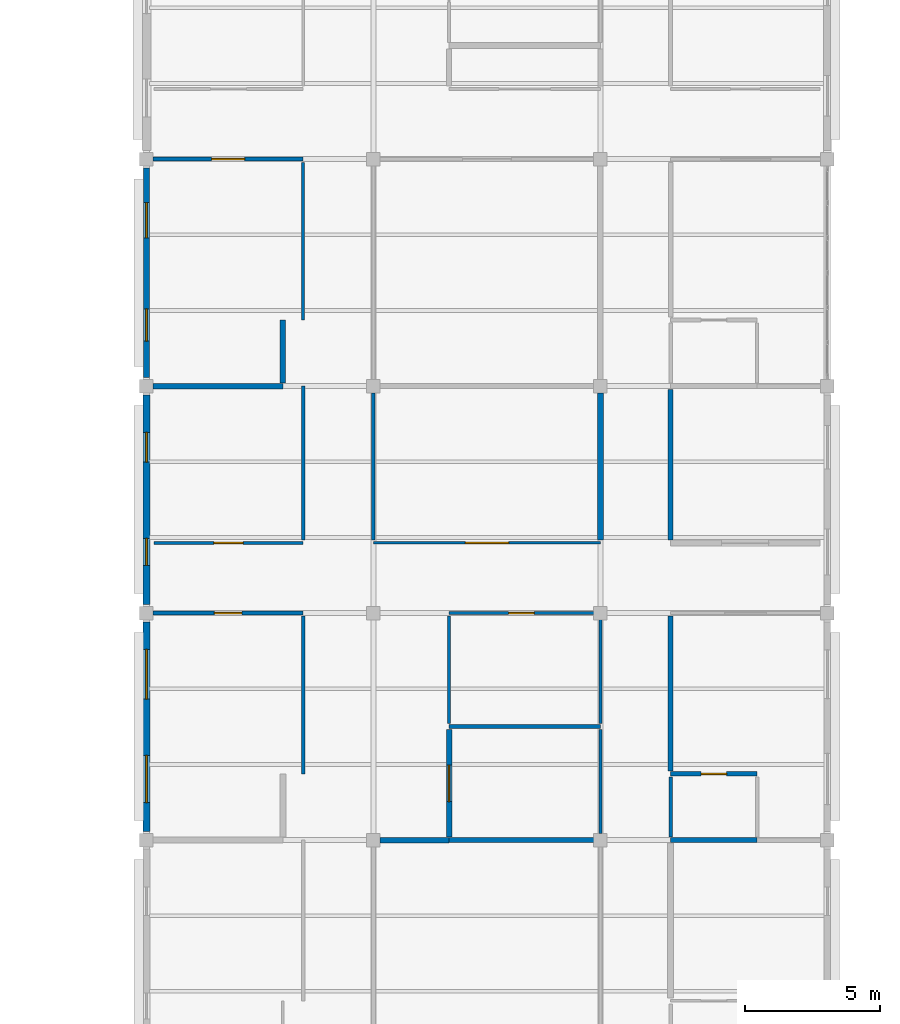
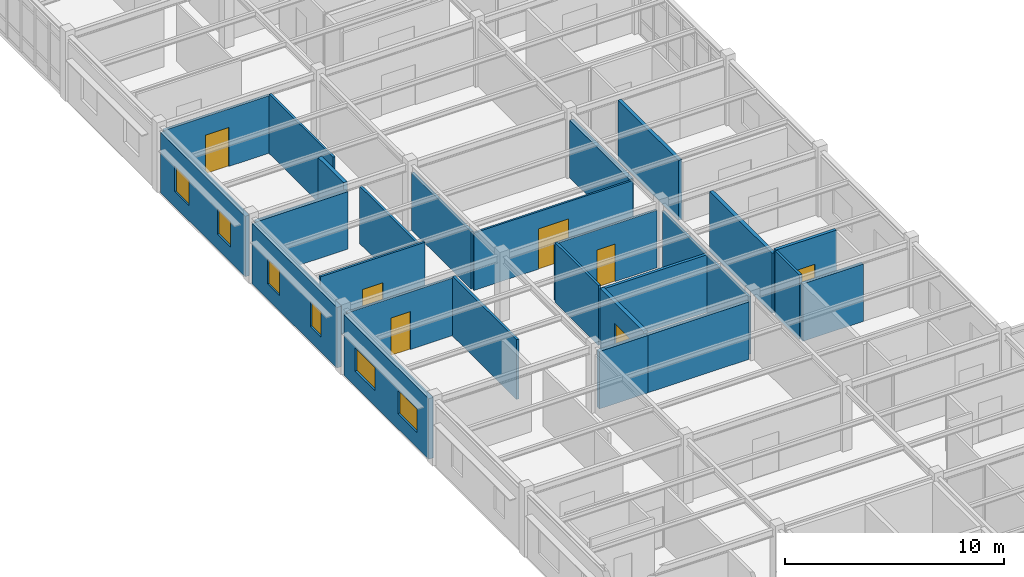
# One storey, part 34 of 53: 27 walls, 7 doors, 6 windows, 13 openings.
"""IFC4 building model written with IfcOpenShell, lengths in metres."""

from ifc_helpers import new_model, si_unit, direction, frame, frame_2d, origin, place, context, subcontext, project, spatial, rectangle, extrude, material, layer, layer_set, type_object, element, fill, save


model = new_model("IFC4")

# Units and contexts
model_context = context("Model", 3, precision=1e-05, world=origin(), true_north=direction((0.0, 1.0)))
body_context = subcontext(model_context, "Body", "Model", "MODEL_VIEW")
ifc_project = project(units=[si_unit("LENGTHUNIT", "METRE"), si_unit("AREAUNIT", "SQUARE_METRE"), si_unit("VOLUMEUNIT", "CUBIC_METRE"), si_unit("PLANEANGLEUNIT", "RADIAN"), si_unit("MASSUNIT", "GRAM", prefix="KILO")], contexts=[model_context])

# Site, building, storey
site_placement = place(None, origin())
site = spatial("IfcSite", under=ifc_project, at=site_placement, CompositionType="ELEMENT")
building_placement = place(site_placement, origin())
building = spatial("IfcBuilding", under=site, at=building_placement, Name="Bramfleet General Hospital", CompositionType="ELEMENT")
storey_placement = place(building_placement, frame((0.0, 0.0, 26.39990234375)))
storey = spatial("IfcBuildingStorey", under=building, at=storey_placement, Name="L06", CompositionType="ELEMENT", Elevation=26.39990234375)

# Wall, openings, windows
ifc_material_1 = material(Name="Precast concrete C40/50", Category="concrete")
ifc_layer_1 = layer(ifc_material_1, 0.264892578125, Name="WT-EW-07")
ifc_layer_set_1 = layer_set([ifc_layer_1], Name="Precast concrete C40/50")
wall_type_1 = type_object("IfcWallType", Name="WT-EW-07", PredefinedType="SOLIDWALL", material=ifc_layer_set_1)
wall_1_placement = place(storey_placement, frame((92.39990234375, 33.925048828125, 0.0), z_axis=(0.0, 0.0, 1.0), x_axis=(0.0, 1.0, 0.0)))
wall_1 = element("IfcWall", 1, at=wall_1_placement, inside=storey, type_object=wall_type_1, Name="L06 Exterior Wall 383", PredefinedType="SOLIDWALL", context=body_context, shape_type="SweptSolid", body=[
    extrude(rectangle(XDim=7.75, YDim=0.264892578125, at=frame_2d((3.875, 0.0))), origin(), (0.0, 0.0, 1.0), 3.380126953125),
])
opening_1_placement = place(wall_1_placement, frame((1.0625, 0.0, 0.85009765625)))
opening_1 = element("IfcOpeningElement", 2, at=opening_1_placement, cuts=wall_1, Name="Opening W-09", PredefinedType="OPENING", context=body_context, shape_type="SweptSolid", body=[
    extrude(rectangle(XDim=1.75, YDim=1.300048828125, at=frame_2d((0.875, 0.64990234375))), frame((0.0, 0.142333984375, 0.0), z_axis=(0.0, -1.0, 0.0), x_axis=(1.0, 0.0, 0.0)), (0.0, 0.0, 1.0), 0.284912109375),
])
opening_2_placement = place(wall_1_placement, frame((4.887451171875, 0.0, 0.85009765625)))
opening_2 = element("IfcOpeningElement", 3, at=opening_2_placement, cuts=wall_1, Name="Opening W-10", PredefinedType="OPENING", context=body_context, shape_type="SweptSolid", body=[
    extrude(rectangle(XDim=1.85009765625, YDim=1.300048828125, at=frame_2d((0.925048828125, 0.64990234375))), frame((0.0, 0.142333984375, 0.0), z_axis=(0.0, -1.0, 0.0), x_axis=(1.0, 0.0, 0.0)), (0.0, 0.0, 1.0), 0.284912109375),
])
ifc_material_2 = material(Name="Anodised aluminium and low-E triple glazing", Category="aluminium")
window_type_1 = type_object("IfcWindowType", Name="WIN-W-09", PartitioningType="SINGLE_PANEL", PredefinedType="WINDOW", material=ifc_material_2)
window_1_placement = place(opening_1_placement, origin())
window_1 = element("IfcWindow", 4, at=window_1_placement, inside=storey, type_object=window_type_1, Name="L06 Facade Window WIN-L06-383-1", OverallHeight=1.300048828125, OverallWidth=1.75, PartitioningType="SINGLE_PANEL", PredefinedType="WINDOW", context=body_context, shape_type="SweptSolid", body=[
    extrude(rectangle(XDim=1.75, YDim=1.300048828125, at=frame_2d((0.875, 0.64990234375))), frame((0.0, 0.030029296875, 0.0), z_axis=(0.0, -1.0, 0.0), x_axis=(1.0, 0.0, 0.0)), (0.0, 0.0, 1.0), 0.06005859375),
])
fill(opening_1, window_1)
window_type_2 = type_object("IfcWindowType", Name="WIN-W-10", PartitioningType="SINGLE_PANEL", PredefinedType="WINDOW", material=ifc_material_2)
window_2_placement = place(opening_2_placement, origin())
window_2 = element("IfcWindow", 5, at=window_2_placement, inside=storey, type_object=window_type_2, Name="L06 Facade Window WIN-L06-383-2", OverallHeight=1.300048828125, OverallWidth=1.85009765625, PartitioningType="SINGLE_PANEL", PredefinedType="WINDOW", context=body_context, shape_type="SweptSolid", body=[
    extrude(rectangle(XDim=1.85009765625, YDim=1.300048828125, at=frame_2d((0.925048828125, 0.64990234375))), frame((0.0, 0.030029296875, 0.0), z_axis=(0.0, -1.0, 0.0), x_axis=(1.0, 0.0, 0.0)), (0.0, 0.0, 1.0), 0.06005859375),
])
fill(opening_2, window_2)

ifc_layer_2 = layer(ifc_material_1, 0.25, Name="WT-EW-08")
ifc_layer_set_2 = layer_set([ifc_layer_2], Name="Precast concrete C40/50")
wall_type_2 = type_object("IfcWallType", Name="WT-EW-08", PredefinedType="SOLIDWALL", material=ifc_layer_set_2)
wall_2_placement = place(storey_placement, frame((92.39990234375, 42.324951171875, 0.0), z_axis=(0.0, 0.0, 1.0), x_axis=(0.0, 1.0, 0.0)))
wall_2 = element("IfcWall", 6, at=wall_2_placement, inside=storey, type_object=wall_type_2, Name="L06 Exterior Wall 384", PredefinedType="SOLIDWALL", context=body_context, shape_type="SweptSolid", body=[
    extrude(rectangle(XDim=7.75, YDim=0.25, at=frame_2d((3.875, 0.0))), origin(), (0.0, 0.0, 1.0), 3.380126953125),
])
opening_3_placement = place(wall_2_placement, frame((1.4375, 0.0, 0.85009765625)))
opening_3 = element("IfcOpeningElement", 7, at=opening_3_placement, cuts=wall_2, Name="Opening W-11", PredefinedType="OPENING", context=body_context, shape_type="SweptSolid", body=[
    extrude(rectangle(XDim=1.0, YDim=1.419921875, at=frame_2d((0.5, 0.7099609375))), frame((0.0, 0.135009765625, 0.0), z_axis=(0.0, -1.0, 0.0), x_axis=(1.0, 0.0, 0.0)), (0.0, 0.0, 1.0), 0.27001953125),
])
opening_4_placement = place(wall_2_placement, frame((5.262451171875, 0.0, 0.85009765625)))
opening_4 = element("IfcOpeningElement", 8, at=opening_4_placement, cuts=wall_2, Name="Opening W-12", PredefinedType="OPENING", context=body_context, shape_type="SweptSolid", body=[
    extrude(rectangle(XDim=1.10009765625, YDim=1.419921875, at=frame_2d((0.550048828125, 0.7099609375))), frame((0.0, 0.135009765625, 0.0), z_axis=(0.0, -1.0, 0.0), x_axis=(1.0, 0.0, 0.0)), (0.0, 0.0, 1.0), 0.27001953125),
])
window_type_3 = type_object("IfcWindowType", Name="WIN-W-11", PartitioningType="SINGLE_PANEL", PredefinedType="WINDOW", material=ifc_material_2)
window_3_placement = place(opening_3_placement, origin())
window_3 = element("IfcWindow", 9, at=window_3_placement, inside=storey, type_object=window_type_3, Name="L06 Facade Window WIN-L06-384-1", OverallHeight=1.419921875, OverallWidth=1.0, PartitioningType="SINGLE_PANEL", PredefinedType="WINDOW", context=body_context, shape_type="SweptSolid", body=[
    extrude(rectangle(XDim=1.0, YDim=1.419921875, at=frame_2d((0.5, 0.7099609375))), frame((0.0, 0.030029296875, 0.0), z_axis=(0.0, -1.0, 0.0), x_axis=(1.0, 0.0, 0.0)), (0.0, 0.0, 1.0), 0.06005859375),
])
fill(opening_3, window_3)
window_type_4 = type_object("IfcWindowType", Name="WIN-W-12", PartitioningType="SINGLE_PANEL", PredefinedType="WINDOW", material=ifc_material_2)
window_4_placement = place(opening_4_placement, origin())
window_4 = element("IfcWindow", 10, at=window_4_placement, inside=storey, type_object=window_type_4, Name="L06 Facade Window WIN-L06-384-2", OverallHeight=1.419921875, OverallWidth=1.10009765625, PartitioningType="SINGLE_PANEL", PredefinedType="WINDOW", context=body_context, shape_type="SweptSolid", body=[
    extrude(rectangle(XDim=1.10009765625, YDim=1.419921875, at=frame_2d((0.550048828125, 0.7099609375))), frame((0.0, 0.030029296875, 0.0), z_axis=(0.0, -1.0, 0.0), x_axis=(1.0, 0.0, 0.0)), (0.0, 0.0, 1.0), 0.06005859375),
])
fill(opening_4, window_4)

ifc_layer_3 = layer(ifc_material_1, 0.235107421875, Name="WT-EW-09")
ifc_layer_set_3 = layer_set([ifc_layer_3], Name="Precast concrete C40/50")
wall_type_3 = type_object("IfcWallType", Name="WT-EW-09", PredefinedType="SOLIDWALL", material=ifc_layer_set_3)
wall_3_placement = place(storey_placement, frame((92.39990234375, 50.72509765625, 0.0), z_axis=(0.0, 0.0, 1.0), x_axis=(0.0, 1.0, 0.0)))
wall_3 = element("IfcWall", 11, at=wall_3_placement, inside=storey, type_object=wall_type_3, Name="L06 Exterior Wall 385", PredefinedType="SOLIDWALL", context=body_context, shape_type="SweptSolid", body=[
    extrude(rectangle(XDim=7.75, YDim=0.235107421875, at=frame_2d((3.875, 0.0))), origin(), (0.0, 0.0, 1.0), 3.380126953125),
])
opening_5_placement = place(wall_3_placement, frame((1.33740234375, 0.0, 0.85009765625)))
opening_5 = element("IfcOpeningElement", 12, at=opening_5_placement, cuts=wall_3, Name="Opening W-13", PredefinedType="OPENING", context=body_context, shape_type="SweptSolid", body=[
    extrude(rectangle(XDim=1.199951171875, YDim=1.419921875, at=frame_2d((0.60009765625, 0.7099609375))), frame((0.0, 0.12744140625, 0.0), z_axis=(0.0, -1.0, 0.0), x_axis=(1.0, 0.0, 0.0)), (0.0, 0.0, 1.0), 0.255126953125),
])
opening_6_placement = place(wall_3_placement, frame((5.16259765625, 0.0, 0.85009765625)))
opening_6 = element("IfcOpeningElement", 13, at=opening_6_placement, cuts=wall_3, Name="Opening W-14", PredefinedType="OPENING", context=body_context, shape_type="SweptSolid", body=[
    extrude(rectangle(XDim=1.300048828125, YDim=1.419921875, at=frame_2d((0.64990234375, 0.7099609375))), frame((0.0, 0.12744140625, 0.0), z_axis=(0.0, -1.0, 0.0), x_axis=(1.0, 0.0, 0.0)), (0.0, 0.0, 1.0), 0.255126953125),
])
window_type_5 = type_object("IfcWindowType", Name="WIN-W-13", PartitioningType="SINGLE_PANEL", PredefinedType="WINDOW", material=ifc_material_2)
window_5_placement = place(opening_5_placement, origin())
window_5 = element("IfcWindow", 14, at=window_5_placement, inside=storey, type_object=window_type_5, Name="L06 Facade Window WIN-L06-385-1", OverallHeight=1.419921875, OverallWidth=1.199951171875, PartitioningType="SINGLE_PANEL", PredefinedType="WINDOW", context=body_context, shape_type="SweptSolid", body=[
    extrude(rectangle(XDim=1.199951171875, YDim=1.419921875, at=frame_2d((0.60009765625, 0.7099609375))), frame((0.0, 0.030029296875, 0.0), z_axis=(0.0, -1.0, 0.0), x_axis=(1.0, 0.0, 0.0)), (0.0, 0.0, 1.0), 0.06005859375),
])
fill(opening_5, window_5)
window_type_6 = type_object("IfcWindowType", Name="WIN-W-14", PartitioningType="SINGLE_PANEL", PredefinedType="WINDOW", material=ifc_material_2)
window_6_placement = place(opening_6_placement, origin())
window_6 = element("IfcWindow", 15, at=window_6_placement, inside=storey, type_object=window_type_6, Name="L06 Facade Window WIN-L06-385-2", OverallHeight=1.419921875, OverallWidth=1.300048828125, PartitioningType="SINGLE_PANEL", PredefinedType="WINDOW", context=body_context, shape_type="SweptSolid", body=[
    extrude(rectangle(XDim=1.300048828125, YDim=1.419921875, at=frame_2d((0.64990234375, 0.7099609375))), frame((0.0, 0.030029296875, 0.0), z_axis=(0.0, -1.0, 0.0), x_axis=(1.0, 0.0, 0.0)), (0.0, 0.0, 1.0), 0.06005859375),
])
fill(opening_6, window_6)

# Walls
ifc_material_3 = material(Name="Concrete C35/45", Category="concrete")
ifc_layer_4 = layer(ifc_material_3, 0.219970703125, Name="WT-IW-01")
ifc_layer_set_4 = layer_set([ifc_layer_4], Name="Concrete C35/45")
wall_type_4 = type_object("IfcWallType", Name="WT-IW-01", PredefinedType="PARTITIONING", material=ifc_layer_set_4)
wall_4_placement = place(storey_placement, frame((109.199951171875, 44.715087890625, 0.0), z_axis=(0.0, 0.0, 1.0), x_axis=(0.0, 1.0, 0.0)))
element("IfcWall", 16, at=wall_4_placement, inside=storey, type_object=wall_type_4, Name="L06 Interior Partition IW-L06-4045", PredefinedType="PARTITIONING", context=body_context, shape_type="SweptSolid", body=[
    extrude(rectangle(XDim=5.43994140625, YDim=0.219970703125, at=frame_2d((2.719970703125, 0.0))), origin(), (0.0, 0.0, 1.0), 3.210205078125),
])
ifc_layer_5 = layer(ifc_material_3, 0.205078125, Name="WT-IW-02")
ifc_layer_set_5 = layer_set([ifc_layer_5], Name="Concrete C35/45")
wall_type_5 = type_object("IfcWallType", Name="WT-IW-02", PredefinedType="PARTITIONING", material=ifc_layer_set_5)
wall_5_placement = place(storey_placement, frame((101.044921875, 33.60009765625, 0.0), z_axis=(0.0, 0.0, 1.0), x_axis=(1.0, 0.0, 0.0)))
element("IfcWall", 17, at=wall_5_placement, inside=storey, type_object=wall_type_5, Name="L06 Interior Partition IW-L06-3878", PredefinedType="PARTITIONING", context=body_context, shape_type="SweptSolid", body=[
    extrude(rectangle(XDim=2.55517578125, YDim=0.205078125, at=frame_2d((1.277587890625, 0.0))), origin(), (0.0, 0.0, 1.0), 3.210205078125),
])
wall_6_placement = place(storey_placement, frame((92.64501953125, 50.39990234375, 0.0), z_axis=(0.0, 0.0, 1.0), x_axis=(1.0, 0.0, 0.0)))
element("IfcWall", 18, at=wall_6_placement, inside=storey, type_object=wall_type_5, Name="L06 Interior Partition IW-L06-3890", PredefinedType="PARTITIONING", context=body_context, shape_type="SweptSolid", body=[
    extrude(rectangle(XDim=4.804931640625, YDim=0.205078125, at=frame_2d((2.40234375, 0.0))), origin(), (0.0, 0.0, 1.0), 3.210205078125),
])
wall_7_placement = place(storey_placement, frame((97.449951171875, 50.514892578125, 0.0), z_axis=(0.0, 0.0, 1.0), x_axis=(0.0, 1.0, 0.0)))
element("IfcWall", 19, at=wall_7_placement, inside=storey, type_object=wall_type_5, Name="L06 Interior Partition IW-L06-4010", PredefinedType="PARTITIONING", context=body_context, shape_type="SweptSolid", body=[
    extrude(rectangle(XDim=2.335205078125, YDim=0.205078125, at=frame_2d((1.16748046875, 0.0))), origin(), (0.0, 0.0, 1.0), 3.610107421875),
])

# Wall, opening, door
wall_8_placement = place(storey_placement, frame((103.60009765625, 33.715087890625, 0.0), z_axis=(0.0, 0.0, 1.0), x_axis=(0.0, 1.0, 0.0)))
wall_8 = element("IfcWall", 20, at=wall_8_placement, inside=storey, type_object=wall_type_5, Name="L06 Interior Partition IW-L06-4034", PredefinedType="PARTITIONING", context=body_context, shape_type="SweptSolid", body=[
    extrude(rectangle(XDim=3.969970703125, YDim=0.205078125, at=frame_2d((1.98486328125, 0.0))), origin(), (0.0, 0.0, 1.0), 3.340087890625),
])
opening_7_placement = place(wall_8_placement, frame((1.31005859375, 0.0, 0.0)))
opening_7 = element("IfcOpeningElement", 21, at=opening_7_placement, cuts=wall_8, Name="Opening D1474", PredefinedType="OPENING", context=body_context, shape_type="SweptSolid", body=[
    extrude(rectangle(XDim=1.35009765625, YDim=2.199951171875, at=frame_2d((0.675048828125, 1.10009765625))), frame((0.0, 0.112548828125, 0.0), z_axis=(0.0, -1.0, 0.0), x_axis=(1.0, 0.0, 0.0)), (0.0, 0.0, 1.0), 0.22509765625),
])
ifc_material_4 = material(Name="Stainless steel and acoustic timber leaf", Category="steel")
door_type_1 = type_object("IfcDoorType", Name="DR-D-02", OperationType="NOTDEFINED", PredefinedType="DOOR", material=ifc_material_4)
door_1_placement = place(opening_7_placement, origin())
door_1 = element("IfcDoor", 22, at=door_1_placement, inside=storey, type_object=door_type_1, Name="Clean Medication and Treatment Room L06-1204 Door D1474", OperationType="SINGLE_SWING_LEFT", OverallHeight=2.199951171875, OverallWidth=1.35009765625, PredefinedType="DOOR", context=body_context, shape_type="SweptSolid", body=[
    extrude(rectangle(XDim=1.35009765625, YDim=2.199951171875, at=frame_2d((0.675048828125, 1.10009765625))), frame((0.0, 0.02490234375, 0.0), z_axis=(0.0, -1.0, 0.0), x_axis=(1.0, 0.0, 0.0)), (0.0, 0.0, 1.0), 0.050048828125),
])
fill(opening_7, door_1)

# Walls
ifc_layer_6 = layer(ifc_material_3, 0.18994140625, Name="WT-IW-03")
ifc_layer_set_6 = layer_set([ifc_layer_6], Name="Concrete C35/45")
wall_type_6 = type_object("IfcWallType", Name="WT-IW-03", PredefinedType="PARTITIONING", material=ifc_layer_set_6)
wall_9_placement = place(storey_placement, frame((103.60009765625, 33.60009765625, 0.0), z_axis=(0.0, 0.0, 1.0), x_axis=(1.0, 0.0, 0.0)))
element("IfcWall", 23, at=wall_9_placement, inside=storey, type_object=wall_type_6, Name="L06 Interior Partition IW-L06-3879", PredefinedType="PARTITIONING", context=body_context, shape_type="SweptSolid", body=[
    extrude(rectangle(XDim=5.35498046875, YDim=0.18994140625, at=frame_2d((2.677490234375, 0.0))), origin(), (0.0, 0.0, 1.0), 3.210205078125),
])
wall_10_placement = place(storey_placement, frame((111.800048828125, 36.1650390625, 0.0), z_axis=(0.0, 0.0, 1.0), x_axis=(0.0, 1.0, 0.0)))
element("IfcWall", 24, at=wall_10_placement, inside=storey, type_object=wall_type_6, Name="L06 Interior Partition IW-L06-4059", PredefinedType="PARTITIONING", context=body_context, shape_type="SweptSolid", body=[
    extrude(rectangle(XDim=5.719970703125, YDim=0.18994140625, at=frame_2d((2.85986328125, 0.0))), origin(), (0.0, 0.0, 1.0), 3.340087890625),
])
ifc_layer_7 = layer(ifc_material_3, 0.179931640625, Name="WT-IW-04")
ifc_layer_set_7 = layer_set([ifc_layer_7], Name="Concrete C35/45")
wall_type_7 = type_object("IfcWallType", Name="WT-IW-04", PredefinedType="PARTITIONING", material=ifc_layer_set_7)
wall_11_placement = place(storey_placement, frame((111.800048828125, 33.60009765625, 0.0), z_axis=(0.0, 0.0, 1.0), x_axis=(1.0, 0.0, 0.0)))
element("IfcWall", 25, at=wall_11_placement, inside=storey, type_object=wall_type_7, Name="L06 Interior Partition IW-L06-3880", PredefinedType="PARTITIONING", context=body_context, shape_type="SweptSolid", body=[
    extrude(rectangle(XDim=3.199951171875, YDim=0.179931640625, at=frame_2d((1.60009765625, 0.0))), origin(), (0.0, 0.0, 1.0), 3.210205078125),
])
wall_12_placement = place(storey_placement, frame((111.800048828125, 44.715087890625, 0.0), z_axis=(0.0, 0.0, 1.0), x_axis=(0.0, 1.0, 0.0)))
element("IfcWall", 26, at=wall_12_placement, inside=storey, type_object=wall_type_7, Name="L06 Interior Partition IW-L06-4060", PredefinedType="PARTITIONING", context=body_context, shape_type="SweptSolid", body=[
    extrude(rectangle(XDim=5.56982421875, YDim=0.179931640625, at=frame_2d((2.784912109375, 0.0))), origin(), (0.0, 0.0, 1.0), 3.340087890625),
])

# Wall, opening, door
ifc_material_5 = material(Name="Gypsum plasterboard on acoustic steel studs", Category="steel")
ifc_layer_8 = layer(ifc_material_5, 0.159912109375, Name="WT-IW-06")
ifc_layer_set_8 = layer_set([ifc_layer_8], Name="Gypsum plasterboard on acoustic steel studs")
wall_type_8 = type_object("IfcWallType", Name="WT-IW-06", PredefinedType="PARTITIONING", material=ifc_layer_set_8)
wall_13_placement = place(storey_placement, frame((111.800048828125, 36.050048828125, 0.0), z_axis=(0.0, 0.0, 1.0), x_axis=(1.0, 0.0, 0.0)))
wall_13 = element("IfcWall", 27, at=wall_13_placement, inside=storey, type_object=wall_type_8, Name="L06 Interior Partition IW-L06-3882", PredefinedType="PARTITIONING", context=body_context, shape_type="SweptSolid", body=[
    extrude(rectangle(XDim=3.199951171875, YDim=0.159912109375, at=frame_2d((1.60009765625, 0.0))), origin(), (0.0, 0.0, 1.0), 3.610107421875),
])
opening_8_placement = place(wall_13_placement, frame((1.125, 0.0, 0.0)))
opening_8 = element("IfcOpeningElement", 28, at=opening_8_placement, cuts=wall_13, Name="Opening D1490", PredefinedType="OPENING", context=body_context, shape_type="SweptSolid", body=[
    extrude(rectangle(XDim=0.949951171875, YDim=2.10009765625, at=frame_2d((0.47509765625, 1.050048828125))), frame((0.0, 0.08984375, 0.0), z_axis=(0.0, -1.0, 0.0), x_axis=(1.0, 0.0, 0.0)), (0.0, 0.0, 1.0), 0.179931640625),
])
door_type_2 = type_object("IfcDoorType", Name="DR-D-10", OperationType="NOTDEFINED", PredefinedType="DOOR", material=ifc_material_4)
door_2_placement = place(opening_8_placement, origin())
door_2 = element("IfcDoor", 29, at=door_2_placement, inside=storey, type_object=door_type_2, Name="En-Suite Bathroom L06-1304 Door D1490", OperationType="SINGLE_SWING_LEFT", OverallHeight=2.10009765625, OverallWidth=0.949951171875, PredefinedType="DOOR", context=body_context, shape_type="SweptSolid", body=[
    extrude(rectangle(XDim=0.949951171875, YDim=2.10009765625, at=frame_2d((0.47509765625, 1.050048828125))), frame((0.0, 0.02490234375, 0.0), z_axis=(0.0, -1.0, 0.0), x_axis=(1.0, 0.0, 0.0)), (0.0, 0.0, 1.0), 0.050048828125),
])
fill(opening_8, door_2)

# Wall
ifc_layer_9 = layer(ifc_material_5, 0.14990234375, Name="WT-IW-07")
ifc_layer_set_9 = layer_set([ifc_layer_9], Name="Gypsum plasterboard on acoustic steel studs")
wall_type_9 = type_object("IfcWallType", Name="WT-IW-07", PredefinedType="PARTITIONING", material=ifc_layer_set_9)
wall_14_placement = place(storey_placement, frame((103.60009765625, 37.800048828125, 0.0), z_axis=(0.0, 0.0, 1.0), x_axis=(1.0, 0.0, 0.0)))
element("IfcWall", 30, at=wall_14_placement, inside=storey, type_object=wall_type_9, Name="L06 Interior Partition IW-L06-3883", PredefinedType="PARTITIONING", context=body_context, shape_type="SweptSolid", body=[
    extrude(rectangle(XDim=5.599853515625, YDim=0.14990234375, at=frame_2d((2.7998046875, 0.0))), origin(), (0.0, 0.0, 1.0), 3.210205078125),
])

# Wall, opening, door
wall_15_placement = place(storey_placement, frame((92.64501953125, 58.800048828125, 0.0), z_axis=(0.0, 0.0, 1.0), x_axis=(1.0, 0.0, 0.0)))
wall_15 = element("IfcWall", 31, at=wall_15_placement, inside=storey, type_object=wall_type_9, Name="L06 Interior Partition IW-L06-3895", PredefinedType="PARTITIONING", context=body_context, shape_type="SweptSolid", body=[
    extrude(rectangle(XDim=5.554931640625, YDim=0.14990234375, at=frame_2d((2.77734375, 0.0))), origin(), (0.0, 0.0, 1.0), 3.210205078125),
])
opening_9_placement = place(wall_15_placement, frame((2.16748046875, 0.0, 0.0)))
opening_9 = element("IfcOpeningElement", 32, at=opening_9_placement, cuts=wall_15, Name="Opening D1463", PredefinedType="OPENING", context=body_context, shape_type="SweptSolid", body=[
    extrude(rectangle(XDim=1.219970703125, YDim=2.179931640625, at=frame_2d((0.60986328125, 1.08984375))), frame((0.0, 0.0849609375, 0.0), z_axis=(0.0, -1.0, 0.0), x_axis=(1.0, 0.0, 0.0)), (0.0, 0.0, 1.0), 0.169921875),
])
door_type_3 = type_object("IfcDoorType", Name="DR-D-23", OperationType="NOTDEFINED", PredefinedType="DOOR", material=ifc_material_4)
door_3_placement = place(opening_9_placement, origin())
door_3 = element("IfcDoor", 33, at=door_3_placement, inside=storey, type_object=door_type_3, Name="Oncology and Neurology Ward Bedroom L06-1106 Door D1463", OperationType="SINGLE_SWING_RIGHT", OverallHeight=2.179931640625, OverallWidth=1.219970703125, PredefinedType="DOOR", context=body_context, shape_type="SweptSolid", body=[
    extrude(rectangle(XDim=1.219970703125, YDim=2.179931640625, at=frame_2d((0.60986328125, 1.08984375))), frame((0.0, 0.02490234375, 0.0), z_axis=(0.0, -1.0, 0.0), x_axis=(1.0, 0.0, 0.0)), (0.0, 0.0, 1.0), 0.050048828125),
])
fill(opening_9, door_3)

ifc_layer_10 = layer(ifc_material_5, 0.139892578125, Name="WT-IW-08")
ifc_layer_set_10 = layer_set([ifc_layer_10], Name="Gypsum plasterboard on acoustic steel studs")
wall_type_10 = type_object("IfcWallType", Name="WT-IW-08", PredefinedType="PARTITIONING", material=ifc_layer_set_10)
wall_16_placement = place(storey_placement, frame((92.64501953125, 42.0, 0.0), z_axis=(0.0, 0.0, 1.0), x_axis=(1.0, 0.0, 0.0)))
wall_16 = element("IfcWall", 34, at=wall_16_placement, inside=storey, type_object=wall_type_10, Name="L06 Interior Partition IW-L06-3884", PredefinedType="PARTITIONING", context=body_context, shape_type="SweptSolid", body=[
    extrude(rectangle(XDim=5.554931640625, YDim=0.139892578125, at=frame_2d((2.77734375, 0.0))), origin(), (0.0, 0.0, 1.0), 3.210205078125),
])
opening_10_placement = place(wall_16_placement, frame((2.267578125, 0.0, 0.0)))
opening_10 = element("IfcOpeningElement", 35, at=opening_10_placement, cuts=wall_16, Name="Opening D1461", PredefinedType="OPENING", context=body_context, shape_type="SweptSolid", body=[
    extrude(rectangle(XDim=1.02001953125, YDim=2.1201171875, at=frame_2d((0.510009765625, 1.06005859375))), frame((0.0, 0.079833984375, 0.0), z_axis=(0.0, -1.0, 0.0), x_axis=(1.0, 0.0, 0.0)), (0.0, 0.0, 1.0), 0.159912109375),
])
door_type_4 = type_object("IfcDoorType", Name="DR-D-21", OperationType="NOTDEFINED", PredefinedType="DOOR", material=ifc_material_4)
door_4_placement = place(opening_10_placement, origin())
door_4 = element("IfcDoor", 36, at=door_4_placement, inside=storey, type_object=door_type_4, Name="Oncology and Neurology Ward Bedroom L06-1104 Door D1461", OperationType="SINGLE_SWING_RIGHT", OverallHeight=2.1201171875, OverallWidth=1.02001953125, PredefinedType="DOOR", context=body_context, shape_type="SweptSolid", body=[
    extrude(rectangle(XDim=1.02001953125, YDim=2.1201171875, at=frame_2d((0.510009765625, 1.06005859375))), frame((0.0, 0.02490234375, 0.0), z_axis=(0.0, -1.0, 0.0), x_axis=(1.0, 0.0, 0.0)), (0.0, 0.0, 1.0), 0.050048828125),
])
fill(opening_10, door_4)

# Walls
ifc_layer_11 = layer(ifc_material_5, 0.1298828125, Name="WT-IW-09")
ifc_layer_set_11 = layer_set([ifc_layer_11], Name="Gypsum plasterboard on acoustic steel studs")
wall_type_11 = type_object("IfcWallType", Name="WT-IW-09", PredefinedType="PARTITIONING", material=ifc_layer_set_11)
wall_17_placement = place(storey_placement, frame((98.199951171875, 36.050048828125, 0.0), z_axis=(0.0, 0.0, 1.0), x_axis=(0.0, 1.0, 0.0)))
element("IfcWall", 37, at=wall_17_placement, inside=storey, type_object=wall_type_11, Name="L06 Interior Partition IW-L06-4017", PredefinedType="PARTITIONING", context=body_context, shape_type="SweptSolid", body=[
    extrude(rectangle(XDim=5.8349609375, YDim=0.1298828125, at=frame_2d((2.91748046875, 0.0))), origin(), (0.0, 0.0, 1.0), 3.340087890625),
])
wall_18_placement = place(storey_placement, frame((100.800048828125, 44.715087890625, 0.0), z_axis=(0.0, 0.0, 1.0), x_axis=(0.0, 1.0, 0.0)))
element("IfcWall", 38, at=wall_18_placement, inside=storey, type_object=wall_type_11, Name="L06 Interior Partition IW-L06-4029", PredefinedType="PARTITIONING", context=body_context, shape_type="SweptSolid", body=[
    extrude(rectangle(XDim=5.43994140625, YDim=0.1298828125, at=frame_2d((2.719970703125, 0.0))), origin(), (0.0, 0.0, 1.0), 3.210205078125),
])

# Wall, opening, door
ifc_layer_12 = layer(ifc_material_5, 0.1201171875, Name="WT-IW-10")
ifc_layer_set_12 = layer_set([ifc_layer_12], Name="Gypsum plasterboard on acoustic steel studs")
wall_type_12 = type_object("IfcWallType", Name="WT-IW-10", PredefinedType="PARTITIONING", material=ifc_layer_set_12)
wall_19_placement = place(storey_placement, frame((103.60009765625, 42.0, 0.0), z_axis=(0.0, 0.0, 1.0), x_axis=(1.0, 0.0, 0.0)))
wall_19 = element("IfcWall", 39, at=wall_19_placement, inside=storey, type_object=wall_type_12, Name="L06 Interior Partition IW-L06-3885", PredefinedType="PARTITIONING", context=body_context, shape_type="SweptSolid", body=[
    extrude(rectangle(XDim=5.35498046875, YDim=0.1201171875, at=frame_2d((2.677490234375, 0.0))), origin(), (0.0, 0.0, 1.0), 3.210205078125),
])
opening_11_placement = place(wall_19_placement, frame((2.202392578125, 0.0, 0.0)))
opening_11 = element("IfcOpeningElement", 40, at=opening_11_placement, cuts=wall_19, Name="Opening D1475", PredefinedType="OPENING", context=body_context, shape_type="SweptSolid", body=[
    extrude(rectangle(XDim=0.949951171875, YDim=2.10009765625, at=frame_2d((0.47509765625, 1.050048828125))), frame((0.0, 0.070068359375, 0.0), z_axis=(0.0, -1.0, 0.0), x_axis=(1.0, 0.0, 0.0)), (0.0, 0.0, 1.0), 0.14013671875),
])
door_5_placement = place(opening_11_placement, origin())
door_5 = element("IfcDoor", 41, at=door_5_placement, inside=storey, type_object=door_type_2, Name="L06 Accessible and Staff WC 1204 Door D1475", OperationType="SINGLE_SWING_LEFT", OverallHeight=2.10009765625, OverallWidth=0.949951171875, PredefinedType="DOOR", context=body_context, shape_type="SweptSolid", body=[
    extrude(rectangle(XDim=0.949951171875, YDim=2.10009765625, at=frame_2d((0.47509765625, 1.050048828125))), frame((0.0, 0.02490234375, 0.0), z_axis=(0.0, -1.0, 0.0), x_axis=(1.0, 0.0, 0.0)), (0.0, 0.0, 1.0), 0.050048828125),
])
fill(opening_11, door_5)

# Walls
wall_20_placement = place(storey_placement, frame((98.199951171875, 44.715087890625, 0.0), z_axis=(0.0, 0.0, 1.0), x_axis=(0.0, 1.0, 0.0)))
element("IfcWall", 42, at=wall_20_placement, inside=storey, type_object=wall_type_12, Name="L06 Interior Partition IW-L06-4018", PredefinedType="PARTITIONING", context=body_context, shape_type="SweptSolid", body=[
    extrude(rectangle(XDim=5.684814453125, YDim=0.1201171875, at=frame_2d((2.84228515625, 0.0))), origin(), (0.0, 0.0, 1.0), 3.210205078125),
])
wall_21_placement = place(storey_placement, frame((103.60009765625, 37.9150390625, 0.0), z_axis=(0.0, 0.0, 1.0), x_axis=(0.0, 1.0, 0.0)))
element("IfcWall", 43, at=wall_21_placement, inside=storey, type_object=wall_type_12, Name="L06 Interior Partition IW-L06-4035", PredefinedType="PARTITIONING", context=body_context, shape_type="SweptSolid", body=[
    extrude(rectangle(XDim=3.969970703125, YDim=0.1201171875, at=frame_2d((1.98486328125, 0.0))), origin(), (0.0, 0.0, 1.0), 3.340087890625),
])
wall_22_placement = place(storey_placement, frame((109.199951171875, 37.9150390625, 0.0), z_axis=(0.0, 0.0, 1.0), x_axis=(0.0, 1.0, 0.0)))
element("IfcWall", 44, at=wall_22_placement, inside=storey, type_object=wall_type_12, Name="L06 Interior Partition IW-L06-4044", PredefinedType="PARTITIONING", context=body_context, shape_type="SweptSolid", body=[
    extrude(rectangle(XDim=3.83984375, YDim=0.1201171875, at=frame_2d((1.919921875, 0.0))), origin(), (0.0, 0.0, 1.0), 3.210205078125),
])
wall_23_placement = place(storey_placement, frame((111.800048828125, 33.715087890625, 0.0), z_axis=(0.0, 0.0, 1.0), x_axis=(0.0, 1.0, 0.0)))
element("IfcWall", 45, at=wall_23_placement, inside=storey, type_object=wall_type_12, Name="L06 Interior Partition IW-L06-4058", PredefinedType="PARTITIONING", context=body_context, shape_type="SweptSolid", body=[
    extrude(rectangle(XDim=2.219970703125, YDim=0.1201171875, at=frame_2d((1.10986328125, 0.0))), origin(), (0.0, 0.0, 1.0), 3.610107421875),
])

# Wall, opening, door
ifc_layer_13 = layer(ifc_material_5, 0.112060546875, Name="WT-IW-11")
ifc_layer_set_13 = layer_set([ifc_layer_13], Name="Gypsum plasterboard on acoustic steel studs")
wall_type_13 = type_object("IfcWallType", Name="WT-IW-11", PredefinedType="PARTITIONING", material=ifc_layer_set_13)
wall_24_placement = place(storey_placement, frame((92.679931640625, 44.60009765625, 0.0), z_axis=(0.0, 0.0, 1.0), x_axis=(1.0, 0.0, 0.0)))
wall_24 = element("IfcWall", 46, at=wall_24_placement, inside=storey, type_object=wall_type_13, Name="L06 Interior Partition IW-L06-3887", PredefinedType="PARTITIONING", context=body_context, shape_type="SweptSolid", body=[
    extrude(rectangle(XDim=5.52001953125, YDim=0.112060546875, at=frame_2d((2.760009765625, 0.0))), origin(), (0.0, 0.0, 1.0), 3.610107421875),
])
opening_12_placement = place(wall_24_placement, frame((2.219970703125, 0.0, 0.0)))
opening_12 = element("IfcOpeningElement", 47, at=opening_12_placement, cuts=wall_24, Name="Opening D1462", PredefinedType="OPENING", context=body_context, shape_type="SweptSolid", body=[
    extrude(rectangle(XDim=1.080078125, YDim=2.1201171875, at=frame_2d((0.5400390625, 1.06005859375))), frame((0.0, 0.06591796875, 0.0), z_axis=(0.0, -1.0, 0.0), x_axis=(1.0, 0.0, 0.0)), (0.0, 0.0, 1.0), 0.132080078125),
])
door_type_5 = type_object("IfcDoorType", Name="DR-D-22", OperationType="NOTDEFINED", PredefinedType="DOOR", material=ifc_material_4)
door_6_placement = place(opening_12_placement, origin())
door_6 = element("IfcDoor", 48, at=door_6_placement, inside=storey, type_object=door_type_5, Name="Oncology and Neurology Ward Bedroom L06-1105 Door D1462", OperationType="SINGLE_SWING_LEFT", OverallHeight=2.1201171875, OverallWidth=1.080078125, PredefinedType="DOOR", context=body_context, shape_type="SweptSolid", body=[
    extrude(rectangle(XDim=1.080078125, YDim=2.1201171875, at=frame_2d((0.5400390625, 1.06005859375))), frame((0.0, 0.02490234375, 0.0), z_axis=(0.0, -1.0, 0.0), x_axis=(1.0, 0.0, 0.0)), (0.0, 0.0, 1.0), 0.050048828125),
])
fill(opening_12, door_6)

# Walls
wall_25_placement = place(storey_placement, frame((98.199951171875, 52.85009765625, 0.0), z_axis=(0.0, 0.0, 1.0), x_axis=(0.0, 1.0, 0.0)))
element("IfcWall", 49, at=wall_25_placement, inside=storey, type_object=wall_type_13, Name="L06 Interior Partition IW-L06-4019", PredefinedType="PARTITIONING", context=body_context, shape_type="SweptSolid", body=[
    extrude(rectangle(XDim=5.8349609375, YDim=0.112060546875, at=frame_2d((2.91748046875, 0.0))), origin(), (0.0, 0.0, 1.0), 3.340087890625),
])
wall_26_placement = place(storey_placement, frame((109.199951171875, 33.844970703125, 0.0), z_axis=(0.0, 0.0, 1.0), x_axis=(0.0, 1.0, 0.0)))
element("IfcWall", 50, at=wall_26_placement, inside=storey, type_object=wall_type_13, Name="L06 Interior Partition IW-L06-4043", PredefinedType="PARTITIONING", context=body_context, shape_type="SweptSolid", body=[
    extrude(rectangle(XDim=3.840087890625, YDim=0.112060546875, at=frame_2d((1.919921875, 0.0))), origin(), (0.0, 0.0, 1.0), 3.210205078125),
])

# Wall, opening, door
ifc_layer_14 = layer(ifc_material_5, 0.10009765625, Name="WT-IW-12")
ifc_layer_set_14 = layer_set([ifc_layer_14], Name="Gypsum plasterboard on acoustic steel studs")
wall_type_14 = type_object("IfcWallType", Name="WT-IW-12", PredefinedType="PARTITIONING", material=ifc_layer_set_14)
wall_27_placement = place(storey_placement, frame((100.800048828125, 44.60009765625, 0.0), z_axis=(0.0, 0.0, 1.0), x_axis=(1.0, 0.0, 0.0)))
wall_27 = element("IfcWall", 51, at=wall_27_placement, inside=storey, type_object=wall_type_14, Name="L06 Interior Partition IW-L06-3888", PredefinedType="PARTITIONING", context=body_context, shape_type="SweptSolid", body=[
    extrude(rectangle(XDim=8.39990234375, YDim=0.10009765625, at=frame_2d((4.199951171875, 0.0))), origin(), (0.0, 0.0, 1.0), 3.210205078125),
])
opening_13_placement = place(wall_27_placement, frame((3.39990234375, 0.0, 0.0)))
opening_13 = element("IfcOpeningElement", 52, at=opening_13_placement, cuts=wall_27, Name="Opening D1476", PredefinedType="OPENING", context=body_context, shape_type="SweptSolid", body=[
    extrude(rectangle(XDim=1.60009765625, YDim=2.25, at=frame_2d((0.800048828125, 1.125))), frame((0.0, 0.06005859375, 0.0), z_axis=(0.0, -1.0, 0.0), x_axis=(1.0, 0.0, 0.0)), (0.0, 0.0, 1.0), 0.1201171875),
])
door_type_6 = type_object("IfcDoorType", Name="DR-D-04", OperationType="NOTDEFINED", PredefinedType="DOOR", material=ifc_material_4)
door_7_placement = place(opening_13_placement, origin())
door_7 = element("IfcDoor", 53, at=door_7_placement, inside=storey, type_object=door_type_6, Name="Ward Linen and Clean Utility L06-1205 Door D1476", OperationType="DOUBLE_SWING_LEFT", OverallHeight=2.25, OverallWidth=1.60009765625, PredefinedType="DOOR", context=body_context, shape_type="SweptSolid", body=[
    extrude(rectangle(XDim=1.60009765625, YDim=2.25, at=frame_2d((0.800048828125, 1.125))), frame((0.0, 0.02490234375, 0.0), z_axis=(0.0, -1.0, 0.0), x_axis=(1.0, 0.0, 0.0)), (0.0, 0.0, 1.0), 0.050048828125),
])
fill(opening_13, door_7)

save(model, "model.ifc")
